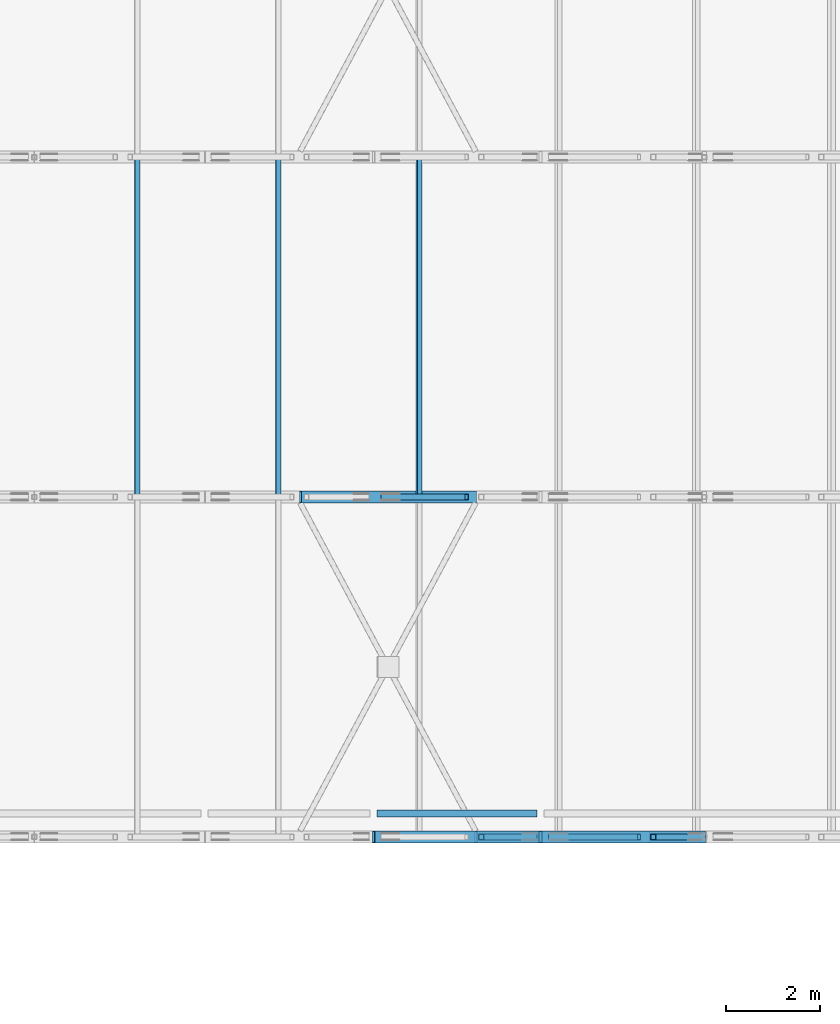
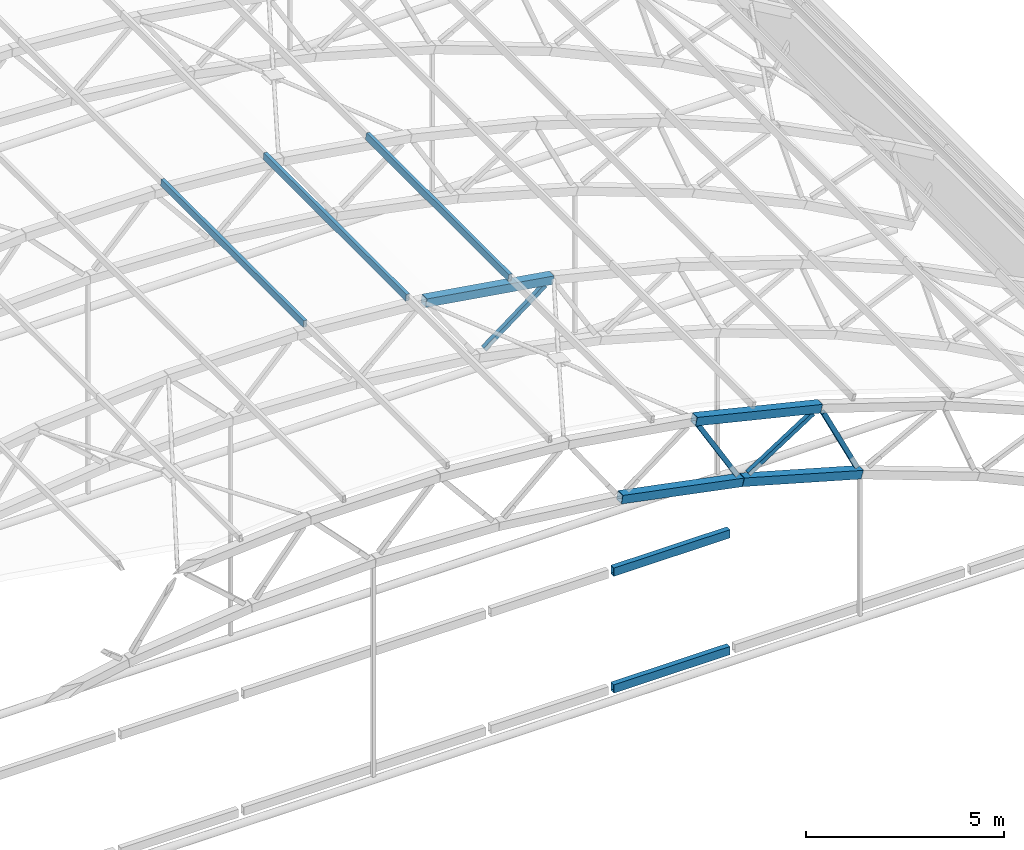
# One storey, part 51 of 127: 11 members, 2 beams.
"""IFC4 building model written with IfcOpenShell, lengths in metres."""

from ifc_helpers import new_model, si_unit, direction, frame, origin, origin_2d, place, context, subcontext, project, spatial, hollow_rectangle, extrude, material, material_profile, profile_set, type_object, element, save


model = new_model("IFC4")

# Units and contexts
model_context = context("Model", 3, precision=1e-05, world=origin(), true_north=direction((0.0, 1.0)))
body_context = subcontext(model_context, "Body", "Model", "MODEL_VIEW")
ifc_project = project(units=[si_unit("LENGTHUNIT", "METRE"), si_unit("AREAUNIT", "SQUARE_METRE"), si_unit("VOLUMEUNIT", "CUBIC_METRE"), si_unit("PLANEANGLEUNIT", "RADIAN"), si_unit("MASSUNIT", "GRAM", prefix="KILO")], contexts=[model_context])

# Site, building, storey
site_placement = place(None, origin())
site = spatial("IfcSite", under=ifc_project, at=site_placement, CompositionType="ELEMENT")
building_placement = place(site_placement, origin())
building = spatial("IfcBuilding", under=site, at=building_placement, Name="Verrick Yard Athletic Hall", CompositionType="ELEMENT")
storey_placement = place(building_placement, frame((0.0, 0.0, 14.0)))
storey = spatial("IfcBuildingStorey", under=building, at=storey_placement, Name="L03", CompositionType="ELEMENT", Elevation=14.0)

# Members
ifc_material = material(Name="Structural steel HSS Class C 350W (CSA G40.20/G40.21)", Category="steel")
ifc_material_profile_1 = material_profile(ifc_material, hollow_rectangle(XDim=0.25390625, YDim=0.25390625, WallThickness=0.009521484375, at=origin_2d()), Name="HSS254x254x9.5")
ifc_profile_set_1 = profile_set([ifc_material_profile_1], Name="Structural steel HSS Class C 350W (CSA G40.20/G40.21)")
member_type_1 = type_object("IfcMemberType", Name="HB bottom chord HSS254x254x9.5", PredefinedType="CHORD", material=ifc_profile_set_1)
for number, where, z_axis, x_axis, name in (
    (1, (152.789306640625, 72.0, 6.191650390625), (0.980848695375, 0.0, -0.194771242181), (0.0, 1.0, 0.0), "Truss TA1 bottom chord 10"),
    (2, (156.326171875, 72.0, 5.489013671875), (0.962577364933, 0.0, -0.271007041457), (0.0, 1.0, 0.0), "Truss TA1 bottom chord 11"),
):
    element("IfcMember", number, at=place(storey_placement, frame(where, z_axis=z_axis, x_axis=x_axis)), inside=storey, type_object=member_type_1, Name=name, PredefinedType="CHORD", context=body_context, shape_type="SweptSolid", body=[
        extrude(hollow_rectangle(XDim=0.25390625, YDim=0.25390625, WallThickness=0.009521484375, at=origin_2d()), origin(), (0.0, 0.0, 1.0), 3.59619140625),
    ])
ifc_material_profile_2 = material_profile(ifc_material, hollow_rectangle(XDim=0.1015625, YDim=0.203125, WallThickness=0.009521484375, at=origin_2d()), Name="HSS203x102x9.5")
ifc_profile_set_2 = profile_set([ifc_material_profile_2], Name="Structural steel HSS Class C 350W (CSA G40.20/G40.21)")
member_type_2 = type_object("IfcMemberType", Name="HB purlin HSS203x102x9.5", PredefinedType="PURLIN", material=ifc_profile_set_2)
for number, where, z_axis, x_axis, name in (
    (3, (147.77685546875, 79.199951171875, 8.92626953125), (0.0, 1.0, 0.0), (-0.996927304266, 0.0, 0.078332305011), "HB-PU-A-2-10"),
    (4, (150.767578125, 79.199951171875, 8.69140625), (0.0, 1.0, 0.0), (-0.996927304266, 0.0, 0.078332305011), "HB-PU-A-2-11"),
    (5, (153.7529296875, 79.199951171875, 8.258544921875), (0.0, 1.0, 0.0), (-0.987728086354, 0.0, 0.156183313539), "HB-PU-A-2-12"),
):
    element("IfcMember", number, at=place(storey_placement, frame(where, z_axis=z_axis, x_axis=x_axis)), inside=storey, type_object=member_type_2, Name=name, PredefinedType="PURLIN", context=body_context, shape_type="SweptSolid", body=[
        extrude(hollow_rectangle(XDim=0.1015625, YDim=0.203125, WallThickness=0.009521484375, at=origin_2d()), origin(), (0.0, 0.0, 1.0), 7.199951171875),
    ])
ifc_material_profile_3 = material_profile(ifc_material, hollow_rectangle(XDim=0.25390625, YDim=0.25390625, WallThickness=0.009521484375, at=origin_2d()), Name="HSS254x254x9.5")
ifc_profile_set_3 = profile_set([ifc_material_profile_3], Name="Structural steel HSS Class C 350W (CSA G40.20/G40.21)")
member_type_3 = type_object("IfcMemberType", Name="HB top chord HSS254x254x9.5", PredefinedType="CHORD", material=ifc_profile_set_3)
for number, where, z_axis, x_axis, name in (
    (6, (154.9541015625, 72.0, 7.836669921875), (0.972457525524, 0.0, -0.233080160141), (0.0, 1.0, 0.0), "Truss TA1 top chord 11"),
    (7, (151.237548828125, 79.199951171875, 8.4248046875), (0.987726014692, 0.0, -0.156196414495), (0.0, 1.0, 0.0), "Truss TA2 top chord 10"),
):
    element("IfcMember", number, at=place(storey_placement, frame(where, z_axis=z_axis, x_axis=x_axis)), inside=storey, type_object=member_type_3, Name=name, PredefinedType="CHORD", context=body_context, shape_type="SweptSolid", body=[
        extrude(hollow_rectangle(XDim=0.25390625, YDim=0.25390625, WallThickness=0.009521484375, at=origin_2d()), origin(), (0.0, 0.0, 1.0), 3.7529296875),
    ])
ifc_material_profile_4 = material_profile(ifc_material, hollow_rectangle(XDim=0.126953125, YDim=0.126953125, WallThickness=0.009521484375, at=origin_2d()), Name="HSS127x127x9.5")
ifc_profile_set_4 = profile_set([ifc_material_profile_4], Name="Structural steel HSS Class C 350W (CSA G40.20/G40.21)")
member_type_4 = type_object("IfcMemberType", Name="HB truss web HSS127x127x9.5", PredefinedType="BRACE", material=ifc_profile_set_4)
for number, where, z_axis, x_axis, name in (
    (8, (155.06884765625, 72.0, 7.633544921875), (0.504543682156, 0.0, -0.86338616667), (0.0, 1.0, 0.0), "Truss TA1 web 20"),
    (9, (156.53076171875, 72.0, 5.624755859375), (0.841118094735, 0.0, 0.54085150523), (0.0, 1.0, 0.0), "Truss TA1 web 21"),
    (10, (158.711669921875, 72.0, 6.74755859375), (0.435458074734, 0.0, -0.900209011924), (0.0, 1.0, 0.0), "Truss TA1 web 22"),
):
    element("IfcMember", number, at=place(storey_placement, frame(where, z_axis=z_axis, x_axis=x_axis)), inside=storey, type_object=member_type_4, Name=name, PredefinedType="BRACE", context=body_context, shape_type="SweptSolid", body=[
        extrude(hollow_rectangle(XDim=0.126953125, YDim=0.126953125, WallThickness=0.009521484375, at=origin_2d()), origin(), (0.0, 0.0, 1.0), 2.233642578125),
    ])
member_placement = place(storey_placement, frame((152.982421875, 79.199951171875, 6.34326171875), z_axis=(0.796206425538, 0.0, 0.605025063887), x_axis=(0.0, 1.0, 0.0)))
element("IfcMember", 11, at=member_placement, inside=storey, type_object=member_type_4, Name="Truss TA2 web 19", PredefinedType="BRACE", context=body_context, shape_type="SweptSolid", body=[
    extrude(hollow_rectangle(XDim=0.126953125, YDim=0.126953125, WallThickness=0.009521484375, at=origin_2d()), origin(), (0.0, 0.0, 1.0), 2.2333984375),
])

# Beams
ifc_material_profile_5 = material_profile(ifc_material, hollow_rectangle(XDim=0.15234375, YDim=0.25390625, WallThickness=0.009521484375, at=origin_2d()), Name="HSS254x152x9.5")
ifc_profile_set_5 = profile_set([ifc_material_profile_5], Name="Structural steel HSS Class C 350W (CSA G40.20/G40.21)")
beam_type = type_object("IfcBeamType", Name="HB wind girder HSS254x152x9.5", PredefinedType="BEAM", material=ifc_profile_set_5)
for number, where, z_axis, x_axis, name in (
    (12, (152.860595703125, 72.49462890625, 0.0), (1.0, 0.0, 0.0), (0.0, 1.0, 0.0), "HB-WG-AS-140-7"),
    (13, (152.860595703125, 72.49462890625, 3.60009765625), (1.0, 0.0, 0.0), (0.0, 1.0, 0.0), "HB-WG-AS-176-6"),
):
    element("IfcBeam", number, at=place(storey_placement, frame(where, z_axis=z_axis, x_axis=x_axis)), inside=storey, type_object=beam_type, Name=name, PredefinedType="BEAM", context=body_context, shape_type="SweptSolid", body=[
        extrude(hollow_rectangle(XDim=0.15234375, YDim=0.25390625, WallThickness=0.009521484375, at=origin_2d()), origin(), (0.0, 0.0, 1.0), 3.384521484375),
    ])

save(model, "model.ifc")
